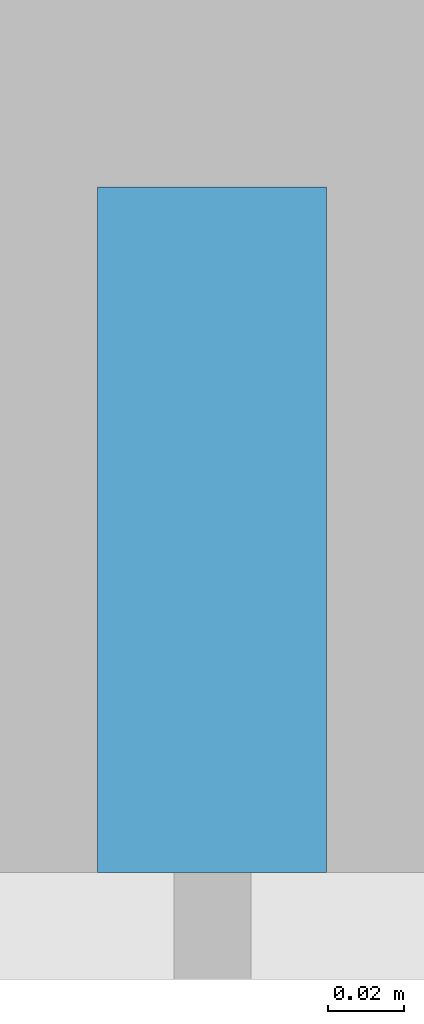
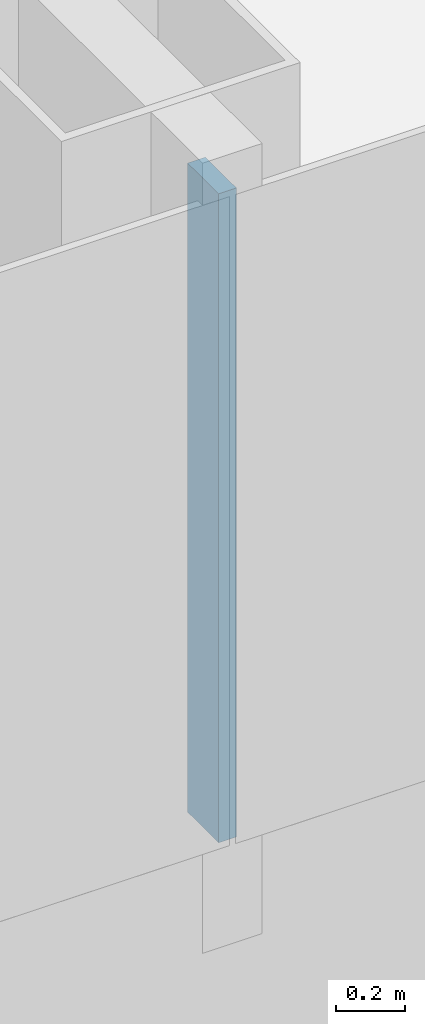
# One storey, part 6 of 29: 1 member, 1 element without a shape of its own.
"""IFC4 building model written with IfcOpenShell, lengths in metres."""

from ifc_helpers import new_model, si_unit, direction, frame, origin, origin_2d, place, context, subcontext, project, spatial, rectangle, extrude, material, layer, layer_set, material_profile, profile_set, type_object, element, aggregate, save


model = new_model("IFC4")

# Units and contexts
model_context = context("Model", 3, precision=1e-05, world=origin(), true_north=direction((0.0, 1.0)))
body_context = subcontext(model_context, "Body", "Model", "MODEL_VIEW")
ifc_project = project(units=[si_unit("LENGTHUNIT", "METRE"), si_unit("AREAUNIT", "SQUARE_METRE"), si_unit("VOLUMEUNIT", "CUBIC_METRE"), si_unit("PLANEANGLEUNIT", "RADIAN"), si_unit("MASSUNIT", "GRAM", prefix="KILO")], contexts=[model_context])

# Site, building, storey
site_placement = place(None, origin())
site = spatial("IfcSite", under=ifc_project, at=site_placement, CompositionType="ELEMENT")
building_placement = place(site_placement, origin())
building = spatial("IfcBuilding", under=site, at=building_placement, Name="Hakoniwa Tower and Hamabe Station Hall", CompositionType="ELEMENT")
storey_placement = place(building_placement, frame((0.0, 0.0, 85.0)))
storey = spatial("IfcBuildingStorey", under=building, at=storey_placement, Name="L23", CompositionType="ELEMENT", Elevation=85.0)

# Curtain wall, member
ifc_material_1 = material(Name="Dark low-e laminated glass", Category="glass")
ifc_layer = layer(ifc_material_1, 0.199951171875)
ifc_layer_set = layer_set([ifc_layer], Name="CW-1 UNITISED GUEST")
curtain_wall_type = type_object("IfcCurtainWallType", Name="CW-1 UNITISED GUEST", PredefinedType="NOTDEFINED", material=ifc_layer_set)
curtain_wall_placement = place(storey_placement, origin())
curtain_wall = element("IfcCurtainWall", 1, at=curtain_wall_placement, inside=storey, type_object=curtain_wall_type, Name="CW-1 curtain wall", PredefinedType="NOTDEFINED")
ifc_material_2 = material(Name="Aluminium 6063-T5 black anodised", Category="aluminium")
ifc_material_profile = material_profile(ifc_material_2, rectangle(XDim=0.06005859375, YDim=0.179931640625, at=origin_2d()), Name="CW-1 MULLION 60X180")
ifc_profile_set = profile_set([ifc_material_profile], Name="Aluminium 6063-T5 black anodised")
member_type = type_object("IfcMemberType", Name="CW-1 MULLION 60X180", PredefinedType="MULLION", material=ifc_profile_set)
member_placement = place(storey_placement, frame((8.39990234375, -15.431884765625, 0.35009765625), z_axis=(0.0, 0.0, 1.0), x_axis=(1.0, 0.0, 0.0)))
member = element("IfcMember", 2, at=member_placement, type_object=member_type, Name="CW-1 mullion", PredefinedType="MULLION", context=body_context, shape_type="SweptSolid", body=[
    extrude(rectangle(XDim=0.06005859375, YDim=0.179931640625, at=origin_2d()), origin(), (0.0, 0.0, 1.0), 2.2998046875),
])
aggregate(curtain_wall, [member])

save(model, "model.ifc")
